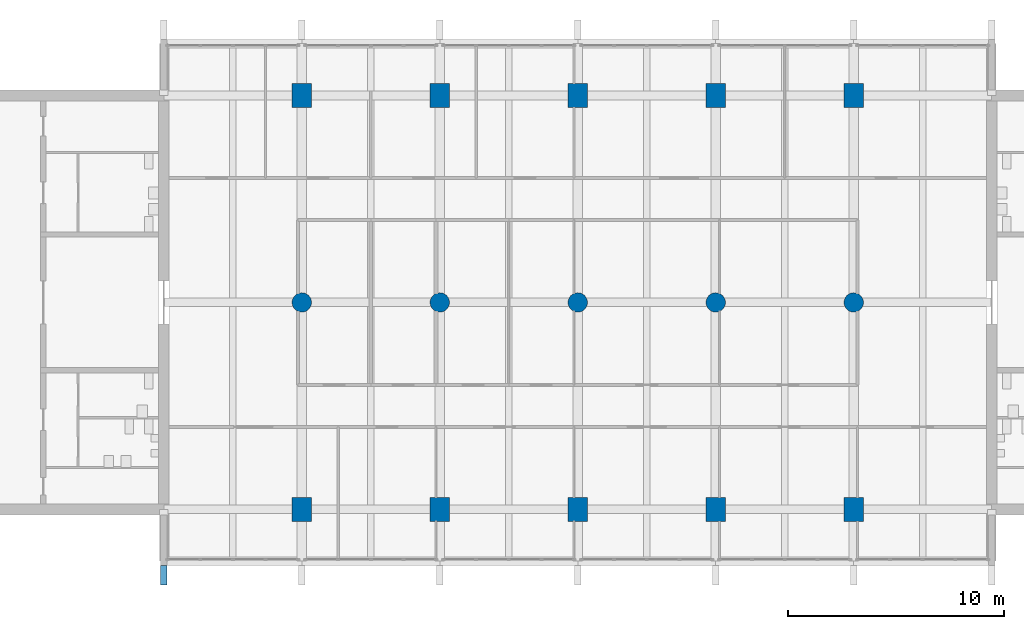
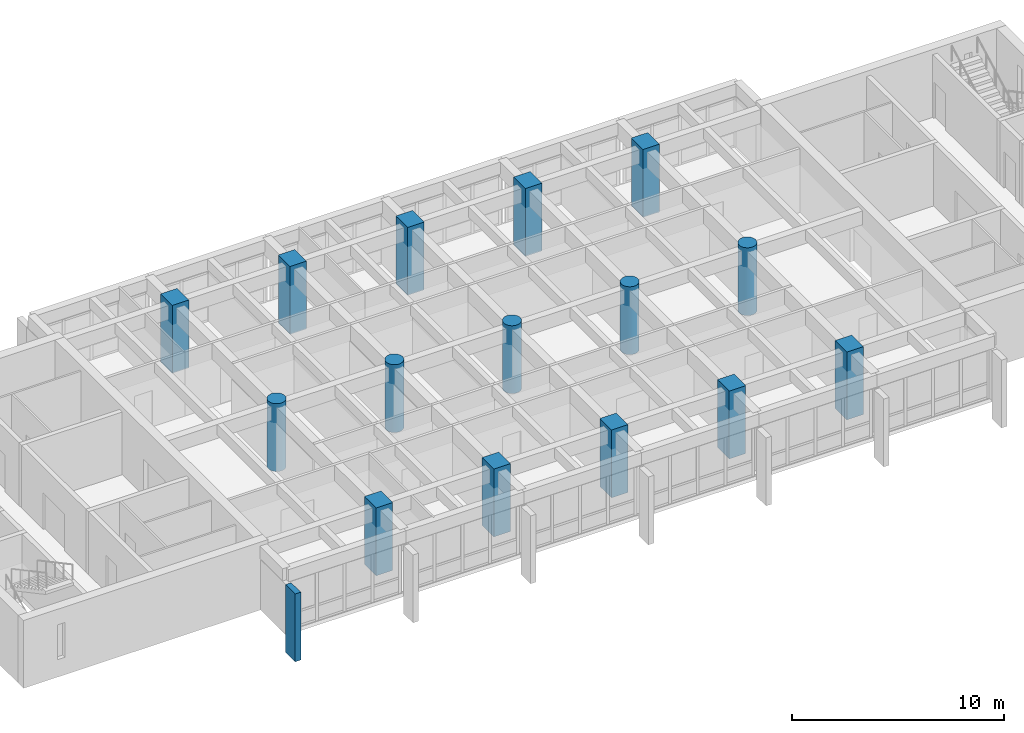
# One storey, part 1 of 15: 15 columns, 1 member.
"""IFC4 building model written with IfcOpenShell, lengths in metres."""

import ifcopenshell
import ifcopenshell.guid

model = None  # the IFC model being written
_history = None  # IfcOwnerHistory: only IFC2X3 demands one
_inside = {}  # id of a spatial element -> (the spatial element, [elements in it])
_under = {}  # id of a project, library or spatial element -> (it, [spatial elements below it])
_declared = {}  # id of a project -> (the project, [libraries it declares])
_typed = {}  # id of a type object -> (the type object, [elements of that type])
_made_of = {}  # id of a material, layer set ... -> (it, [elements and type objects made of it])


def new_model(schema):
    """Start an empty IFC model of exactly this schema.

    Asked for "IFC4X3", IfcOpenShell would pick the latest addendum, in which some entities
    have other attributes; the version numbers below select the first issue.
    IFC2X3 requires an IfcOwnerHistory on every rooted entity: one is made here for all.
    """
    global model, _history
    if schema == "IFC4X3":
        model = ifcopenshell.file(schema_version=(4, 3, 0, 0))
    else:
        model = ifcopenshell.file(schema=schema)
    _inside.clear()
    _under.clear()
    _declared.clear()
    _typed.clear()
    _made_of.clear()
    _history = None
    if model.schema == "IFC2X3":
        org = make("IfcOrganization", Name="unknown")
        user = make(
            "IfcPersonAndOrganization",
            ThePerson=make("IfcPerson", FamilyName="unknown"),
            TheOrganization=org,
        )
        app = make(
            "IfcApplication",
            ApplicationDeveloper=org,
            Version="unknown",
            ApplicationFullName="unknown",
            ApplicationIdentifier="unknown",
        )
        _history = make(
            "IfcOwnerHistory",
            OwningUser=user,
            OwningApplication=app,
            ChangeAction="ADDED",
            CreationDate=0,
        )
    return model


def make(cls, **values):
    """One entity of the class cls with the attributes given. An attribute that is None is left unset."""
    return model.create_entity(
        cls, **{name: value for name, value in values.items() if value is not None}
    )


def rooted(cls, **values):
    """An entity with a GlobalId (a new one), such as an element, a storey or a relation."""
    return make(cls, GlobalId=ifcopenshell.guid.new(), OwnerHistory=_history, **values)


def si_unit(unit_type, name, prefix=None):
    """IfcSIUnit, for example si_unit("LENGTHUNIT", "METRE", prefix="MILLI")."""
    return make("IfcSIUnit", UnitType=unit_type, Prefix=prefix, Name=name)


def assignment(units):
    """IfcUnitAssignment: the units of a project."""
    return None if units is None else make("IfcUnitAssignment", Units=units)


def point(xyz):
    """IfcCartesianPoint."""
    return None if xyz is None else make("IfcCartesianPoint", Coordinates=xyz)


def direction(xyz):
    """IfcDirection."""
    return None if xyz is None else make("IfcDirection", DirectionRatios=xyz)


def frame(location, z_axis=None, x_axis=None):
    """IfcAxis2Placement3D, a coordinate frame: its origin and axes. An axis left out is left unset."""
    return make(
        "IfcAxis2Placement3D",
        Location=point(location),
        Axis=direction(z_axis),
        RefDirection=direction(x_axis),
    )


def frame_2d(location, x_axis=None):
    """IfcAxis2Placement2D, a coordinate frame in the plane: its origin and x axis."""
    return make(
        "IfcAxis2Placement2D", Location=point(location), RefDirection=direction(x_axis)
    )


def origin():
    """The frame at (0, 0, 0) with its axes left unset."""
    return frame((0.0, 0.0, 0.0))


def origin_2d():
    """The frame at (0, 0) in the plane with its x axis left unset."""
    return frame_2d((0.0, 0.0))


def place(relative_to, where):
    """IfcLocalPlacement: puts the frame where relative to a parent placement (None: the world)."""
    return make(
        "IfcLocalPlacement", PlacementRelTo=relative_to, RelativePlacement=where
    )


def context(
    kind, dimensions, precision=None, world=None, true_north=None, identifier=None
):
    """IfcGeometricRepresentationContext, for example the 3D "Model" context."""
    return make(
        "IfcGeometricRepresentationContext",
        ContextIdentifier=identifier,
        ContextType=kind,
        CoordinateSpaceDimension=dimensions,
        Precision=precision,
        WorldCoordinateSystem=world,
        TrueNorth=true_north,
    )


def subcontext(parent, identifier, kind, view, scale=None):
    """IfcGeometricRepresentationSubContext, for example "Body" below "Model"."""
    return make(
        "IfcGeometricRepresentationSubContext",
        ContextIdentifier=identifier,
        ContextType=kind,
        ParentContext=parent,
        TargetScale=scale,
        TargetView=view,
    )


def project(units=None, contexts=None):
    """IfcProject with its units and contexts."""
    return rooted(
        "IfcProject",
        Name="project",
        RepresentationContexts=contexts,
        UnitsInContext=assignment(units),
    )


def spatial(cls, under=None, at=None, **own):
    """A site, building, storey or space (cls), placed at a placement, below another one or the project."""
    s = rooted(cls, ObjectPlacement=at, **own)
    if under is not None:
        _under.setdefault(under.id(), (under, []))[1].append(s)
    return s


def profile(cls, at=None, kind="AREA", **sizes):
    """A parametric profile (cls). Its sizes go by their IFC names, for example OverallWidth=200.0."""
    return make(cls, ProfileType=kind, Position=at, **sizes)


def rectangle(**sizes):
    """IfcRectangleProfileDef."""
    return profile("IfcRectangleProfileDef", **sizes)


def circle(**sizes):
    """IfcCircleProfileDef."""
    return profile("IfcCircleProfileDef", **sizes)


def extrude(swept, where, along, depth):
    """IfcExtrudedAreaSolid: the profile swept, set in the frame where, extruded along a direction by depth."""
    return make(
        "IfcExtrudedAreaSolid",
        SweptArea=swept,
        Position=where,
        ExtrudedDirection=direction(along),
        Depth=depth,
    )


def shape(context_of_items, identifier, shape_type, items):
    """IfcShapeRepresentation: the items that make up one representation, for example the "Body"."""
    return make(
        "IfcShapeRepresentation",
        ContextOfItems=context_of_items,
        RepresentationIdentifier=identifier,
        RepresentationType=shape_type,
        Items=items,
    )


def material(Name=None, Category=None):
    """IfcMaterial."""
    return make("IfcMaterial", Name=Name, Category=Category)


def material_profile(
    of_material, cross_section, Name=None, Category=None, Priority=None
):
    """IfcMaterialProfile: a cross section and its material."""
    return make(
        "IfcMaterialProfile",
        Name=Name,
        Material=of_material,
        Profile=cross_section,
        Priority=Priority,
        Category=Category,
    )


def profile_set(profiles, Name=None, composite=None):
    """IfcMaterialProfileSet."""
    return make(
        "IfcMaterialProfileSet",
        Name=Name,
        MaterialProfiles=profiles,
        CompositeProfile=composite,
    )


def made_of(thing, what):
    """Note that an element or type object is made of a material, layer set ...; save() writes the relation."""
    if what is not None:
        _made_of.setdefault(what.id(), (what, []))[1].append(thing)
    return thing


def type_object(cls, material=None, **own):
    """A type object (cls), such as IfcWallType, which elements share."""
    return made_of(rooted(cls, **own), material)


def element(
    cls,
    number,
    at=None,
    inside=None,
    cuts=None,
    type_object=None,
    material=None,
    context=None,
    identifier="Body",
    shape_type=None,
    held_by="IfcProductDefinitionShape",
    body=None,
    shapes=None,
    **own,
):
    """One element of the class cls, such as IfcWall. Its Tag is "e" and its number.

    at: its placement. inside: the storey or other place that contains it. cuts: it is an
    opening in that element (IfcRelVoidsElement). A single representation is given by context,
    identifier, shape_type and body (its items); several are given by shapes. held_by: the class
    of the entity that holds the representations. save() writes the other relations.
    """
    e = rooted(cls, Tag="e%d" % number, ObjectPlacement=at, **own)
    if body is not None:
        shapes = [shape(context, identifier, shape_type, body)]
    if shapes is not None:
        e.Representation = make(held_by, Representations=shapes)
    if inside is not None:
        _inside.setdefault(inside.id(), (inside, []))[1].append(e)
    if cuts is not None:
        rooted(
            "IfcRelVoidsElement", RelatingBuildingElement=cuts, RelatedOpeningElement=e
        )
    if type_object is not None:
        _typed.setdefault(type_object.id(), (type_object, []))[1].append(e)
    return made_of(e, material)


def aggregate(whole, parts):
    """IfcRelAggregates: a whole, such as a stair, and the parts it consists of."""
    return rooted("IfcRelAggregates", RelatingObject=whole, RelatedObjects=parts)


def save(model, path):
    """Write the relations noted so far, then the file.

    IfcRelAggregates (storeys below a building ...), IfcRelContainedInSpatialStructure (elements
    in a storey), IfcRelDefinesByType, IfcRelAssociatesMaterial and IfcRelDeclares: one each for
    every whole, place, type object, material and project.
    """
    for whole, parts in _under.values():
        aggregate(whole, parts)
    for where, things in _inside.values():
        rooted(
            "IfcRelContainedInSpatialStructure",
            RelatedElements=things,
            RelatingStructure=where,
        )
    for kind, things in _typed.values():
        rooted("IfcRelDefinesByType", RelatedObjects=things, RelatingType=kind)
    for what, things in _made_of.values():
        rooted("IfcRelAssociatesMaterial", RelatedObjects=things, RelatingMaterial=what)
    for by, libraries in _declared.values():
        rooted("IfcRelDeclares", RelatingContext=by, RelatedDefinitions=libraries)
    model.write(path)


model = new_model("IFC4")

# Units and contexts
model_context = context("Model", 3, precision=1e-05, world=origin(), true_north=direction((0.0, 1.0)))
body_context = subcontext(model_context, "Body", "Model", "MODEL_VIEW")
ifc_project = project(units=[si_unit("LENGTHUNIT", "METRE"), si_unit("AREAUNIT", "SQUARE_METRE"), si_unit("VOLUMEUNIT", "CUBIC_METRE"), si_unit("PLANEANGLEUNIT", "RADIAN"), si_unit("MASSUNIT", "GRAM", prefix="KILO")], contexts=[model_context])

# Site, building, storey
site_placement = place(None, origin())
site = spatial("IfcSite", under=ifc_project, at=site_placement, CompositionType="ELEMENT")
building_placement = place(site_placement, origin())
building = spatial("IfcBuilding", under=site, at=building_placement, Name="Fogon Plaza Fire Station and Headquarters Tower", CompositionType="ELEMENT")
storey_placement = place(building_placement, frame((0.0, 0.0, 48.300048828125)))
storey = spatial("IfcBuildingStorey", under=building, at=storey_placement, Name="L12", CompositionType="ELEMENT", Elevation=48.300048828125)

# Columns
ifc_material_1 = material(Name="Concrete C40", Category="concrete")
ifc_material_profile_1 = material_profile(ifc_material_1, rectangle(XDim=0.89990234375, YDim=1.10009765625, at=origin_2d()), Name="RC 900x1100")
ifc_profile_set_1 = profile_set([ifc_material_profile_1], Name="Concrete C40")
column_type_1 = type_object("IfcColumnType", Name="COLUMN RC 900x1100", PredefinedType="COLUMN", material=ifc_profile_set_1)
for number, where, z_axis, x_axis, name in (
    (1, (32.0, 33.60009765625, 0.0), (0.0, 0.0, 1.0), (1.0, 0.0, 0.0), "col-L12-4E"),
    (2, (32.0, 52.800048828125, 0.0), (0.0, 0.0, 1.0), (1.0, 0.0, 0.0), "col-L12-4G"),
    (3, (38.39990234375, 33.60009765625, 0.0), (0.0, 0.0, 1.0), (1.0, 0.0, 0.0), "col-L12-5E"),
    (4, (38.39990234375, 52.800048828125, 0.0), (0.0, 0.0, 1.0), (1.0, 0.0, 0.0), "col-L12-5G"),
    (5, (44.800048828125, 33.60009765625, 0.0), (0.0, 0.0, 1.0), (1.0, 0.0, 0.0), "col-L12-6E"),
    (6, (44.800048828125, 52.800048828125, 0.0), (0.0, 0.0, 1.0), (1.0, 0.0, 0.0), "col-L12-6G"),
    (7, (51.199951171875, 33.60009765625, 0.0), (0.0, 0.0, 1.0), (1.0, 0.0, 0.0), "col-L12-7E"),
    (8, (51.199951171875, 52.800048828125, 0.0), (0.0, 0.0, 1.0), (1.0, 0.0, 0.0), "col-L12-7G"),
    (9, (57.60009765625, 33.60009765625, 0.0), (0.0, 0.0, 1.0), (1.0, 0.0, 0.0), "col-L12-8E"),
    (10, (57.60009765625, 52.800048828125, 0.0), (0.0, 0.0, 1.0), (1.0, 0.0, 0.0), "col-L12-8G"),
):
    element("IfcColumn", number, at=place(storey_placement, frame(where, z_axis=z_axis, x_axis=x_axis)), inside=storey, type_object=column_type_1, Name=name, PredefinedType="COLUMN", context=body_context, shape_type="SweptSolid", body=[
        extrude(rectangle(XDim=0.89990234375, YDim=1.10009765625, at=origin_2d()), origin(), (0.0, 0.0, 1.0), 3.89990234375),
    ])
ifc_material_2 = material(Name="Concrete C40", Category="concrete")
ifc_material_profile_2 = material_profile(ifc_material_2, circle(Radius=0.449951171875, at=origin_2d()), Name="RC D900")
ifc_profile_set_2 = profile_set([ifc_material_profile_2], Name="Concrete C40")
column_type_2 = type_object("IfcColumnType", Name="COLUMN RC D900", PredefinedType="COLUMN", material=ifc_profile_set_2)
for number, where, z_axis, x_axis, name in (
    (11, (32.0, 43.199951171875, 0.0), (0.0, 0.0, 1.0), (1.0, 0.0, 0.0), "col-L12-4F"),
    (12, (38.39990234375, 43.199951171875, 0.0), (0.0, 0.0, 1.0), (1.0, 0.0, 0.0), "col-L12-5F"),
    (13, (44.800048828125, 43.199951171875, 0.0), (0.0, 0.0, 1.0), (1.0, 0.0, 0.0), "col-L12-6F"),
    (14, (51.199951171875, 43.199951171875, 0.0), (0.0, 0.0, 1.0), (1.0, 0.0, 0.0), "col-L12-7F"),
    (15, (57.60009765625, 43.199951171875, 0.0), (0.0, 0.0, 1.0), (1.0, 0.0, 0.0), "col-L12-8F"),
):
    element("IfcColumn", number, at=place(storey_placement, frame(where, z_axis=z_axis, x_axis=x_axis)), inside=storey, type_object=column_type_2, Name=name, PredefinedType="COLUMN", context=body_context, shape_type="SweptSolid", body=[
        extrude(circle(Radius=0.449951171875, at=origin_2d()), origin(), (0.0, 0.0, 1.0), 3.89990234375),
    ])

# Member
ifc_material_3 = material(Name="Concrete C40 precast", Category="concrete")
ifc_material_profile_3 = material_profile(ifc_material_3, rectangle(XDim=0.300048828125, YDim=0.89990234375, at=origin_2d()), Name="Precast Concrete Post 300x900")
ifc_profile_set_3 = profile_set([ifc_material_profile_3], Name="Concrete C40 precast")
member_type = type_object("IfcMemberType", Name="Precast Concrete Post 300x900", PredefinedType="POST", material=ifc_profile_set_3)
member_placement = place(storey_placement, frame((25.60009765625, 30.550048828125, -1.02001953125), z_axis=(0.0, 0.0, 1.0), x_axis=(1.0, 0.0, 0.0)))
element("IfcMember", 16, at=member_placement, inside=storey, type_object=member_type, Name="Precast Post S L12", PredefinedType="POST", context=body_context, shape_type="SweptSolid", body=[
    extrude(rectangle(XDim=0.300048828125, YDim=0.89990234375, at=origin_2d()), origin(), (0.0, 0.0, 1.0), 3.89990234375),
])

save(model, "model.ifc")
